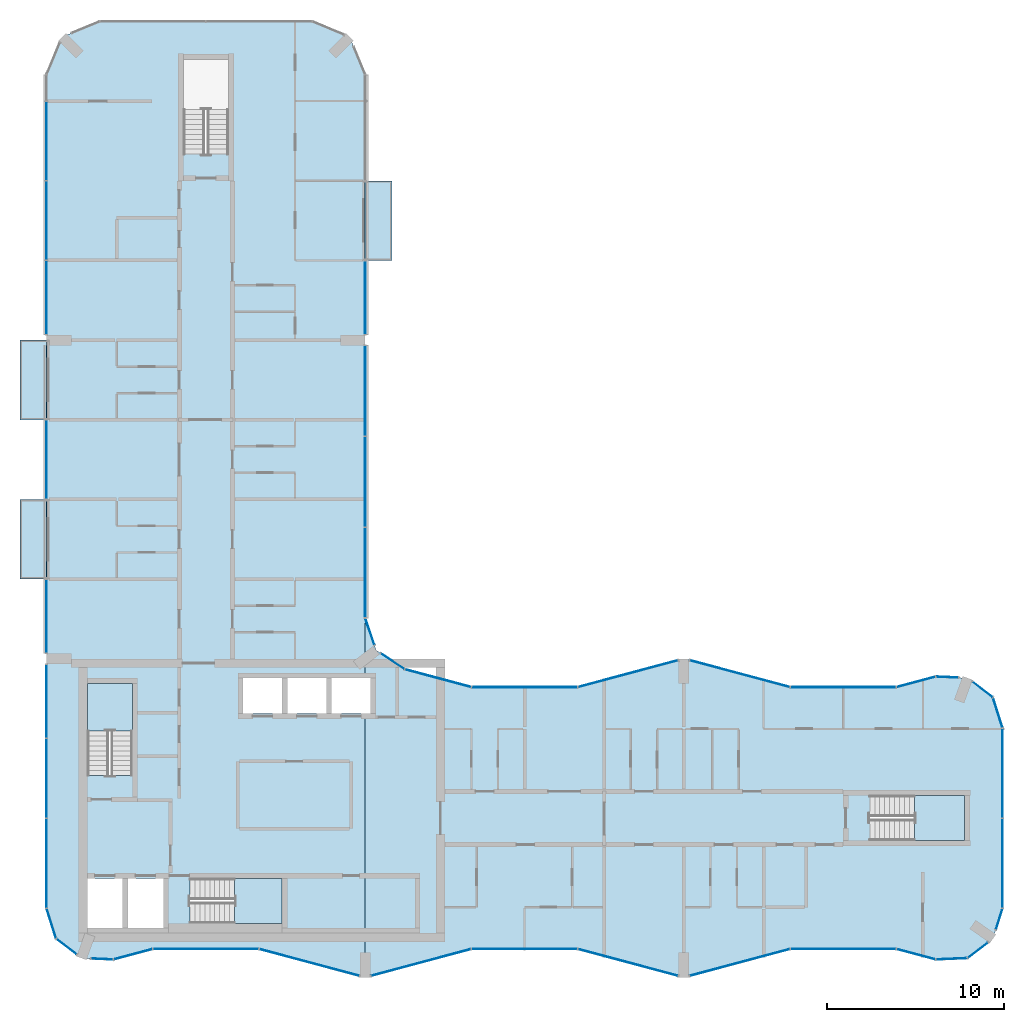
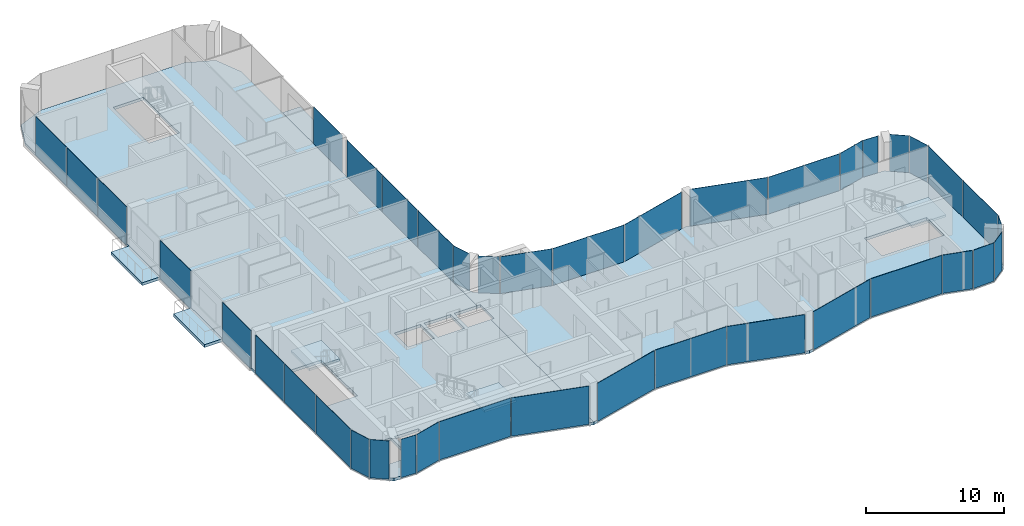
# One storey, part 8 of 16: 40 plates, 8 slabs, 36 elements without a shape of their own.
"""IFC4 building model written with IfcOpenShell, lengths in metres."""

from ifc_helpers import new_model, si_unit, direction, frame, origin, origin_2d, place, context, subcontext, project, spatial, polyline, rectangle, outline, extrude, material, layer, layer_set, type_object, element, aggregate, save


model = new_model("IFC4")

# Units and contexts
model_context = context("Model", 3, precision=1e-05, world=origin(), true_north=direction((0.0, 1.0)))
body_context = subcontext(model_context, "Body", "Model", "MODEL_VIEW")
ifc_project = project(units=[si_unit("LENGTHUNIT", "METRE"), si_unit("AREAUNIT", "SQUARE_METRE"), si_unit("VOLUMEUNIT", "CUBIC_METRE"), si_unit("PLANEANGLEUNIT", "RADIAN"), si_unit("MASSUNIT", "GRAM", prefix="KILO")], contexts=[model_context])

# Site, building, storey
site_placement = place(None, origin())
site = spatial("IfcSite", under=ifc_project, at=site_placement, CompositionType="ELEMENT")
building_placement = place(site_placement, origin())
building = spatial("IfcBuilding", under=site, at=building_placement, Name="Plateau Cross Towers", CompositionType="ELEMENT")
storey_placement = place(building_placement, frame((0.0, 0.0, 218.89990234375)))
storey = spatial("IfcBuildingStorey", under=building, at=storey_placement, Name="L57", CompositionType="ELEMENT", Elevation=218.89990234375)

# Slabs
ifc_material_1 = material(Name="Concrete C40/50", Category="concrete")
ifc_layer_1 = layer(ifc_material_1, 0.25)
ifc_layer_set_1 = layer_set([ifc_layer_1], Name="Concrete C40/50")
slab_type_1 = type_object("IfcSlabType", Name="Balcony slab 250", PredefinedType="FLOOR", material=ifc_layer_set_1)
slab_1_placement = place(storey_placement, frame((0.0, 0.0, -0.25)))
element("IfcSlab", 1, at=slab_1_placement, inside=storey, type_object=slab_type_1, Name="Balcony slab A-BAL-L57-01", PredefinedType="FLOOR", context=body_context, shape_type="SweptSolid", body=[
    extrude(outline(polyline([(0.0, 22.5), (0.0, 27.0), (-1.5, 27.0), (-1.5, 22.5), (0.0, 22.5)])), origin(), (0.0, 0.0, 1.0), 0.25),
])
slab_2_placement = place(storey_placement, frame((0.0, 0.0, -0.25)))
element("IfcSlab", 2, at=slab_2_placement, inside=storey, type_object=slab_type_1, Name="Balcony slab A-BAL-L57-02", PredefinedType="FLOOR", context=body_context, shape_type="SweptSolid", body=[
    extrude(outline(polyline([(0.0, 31.5), (0.0, 36.0), (-1.5, 36.0), (-1.5, 31.5), (0.0, 31.5)])), origin(), (0.0, 0.0, 1.0), 0.25),
])
slab_3_placement = place(storey_placement, frame((0.0, 0.0, -0.25)))
element("IfcSlab", 3, at=slab_3_placement, inside=storey, type_object=slab_type_1, Name="Balcony slab A-BAL-L57-03", PredefinedType="FLOOR", context=body_context, shape_type="SweptSolid", body=[
    extrude(outline(polyline([(19.5, 40.5), (19.5, 45.0), (18.0, 45.0), (18.0, 40.5), (19.5, 40.5)])), origin(), (0.0, 0.0, 1.0), 0.25),
])

# Curtain wall, plate
ifc_material_2 = material(Name="Dark low-iron glass", Category="glass")
ifc_layer_2 = layer(ifc_material_2, 0.239990234375)
ifc_layer_set_2 = layer_set([ifc_layer_2], Name="Dark low-iron glass")
curtain_wall_type_1 = type_object("IfcCurtainWallType", Name="Curtain wall flush unitised CW-B", PredefinedType="NOTDEFINED", material=ifc_layer_set_2)
curtain_wall_1_placement = place(storey_placement, origin())
curtain_wall_1 = element("IfcCurtainWall", 4, at=curtain_wall_1_placement, inside=storey, type_object=curtain_wall_type_1, Name="ENV/A/L57/A502_10", PredefinedType="NOTDEFINED")
ifc_layer_3 = layer(ifc_material_2, 0.031982421875)
ifc_layer_set_3 = layer_set([ifc_layer_3], Name="Dark low-iron glass")
plate_type_1 = type_object("IfcPlateType", Name="Glass panel 32 flush unitised", PredefinedType="CURTAIN_PANEL", material=ifc_layer_set_3)
plate_1_placement = place(storey_placement, frame((51.125, 1.05078125, -0.1298828125), z_axis=(0.0, 0.0, 1.0), x_axis=(0.999043701491, 0.043722791671, 0.0)))
plate_1 = element("IfcPlate", 5, at=plate_1_placement, type_object=plate_type_1, Name="CW-B panel 1", PredefinedType="CURTAIN_PANEL", context=body_context, shape_type="SweptSolid", body=[
    extrude(rectangle(XDim=1.744140625, YDim=0.031982421875, at=origin_2d()), origin(), (0.0, 0.0, 1.0), 3.3798828125),
])
aggregate(curtain_wall_1, [plate_1])

curtain_wall_2_placement = place(storey_placement, origin())
curtain_wall_2 = element("IfcCurtainWall", 6, at=curtain_wall_2_placement, inside=storey, type_object=curtain_wall_type_1, Name="ENV/A/L57/A520_11", PredefinedType="NOTDEFINED")
plate_2_placement = place(storey_placement, frame((52.60986328125, 1.5380859375, -0.1298828125), z_axis=(0.0, 0.0, 1.0), x_axis=(0.793315514529, 0.608810721331, 0.0)))
plate_2 = element("IfcPlate", 7, at=plate_2_placement, type_object=plate_type_1, Name="CW-B panel 1", PredefinedType="CURTAIN_PANEL", context=body_context, shape_type="SweptSolid", body=[
    extrude(rectangle(XDim=1.41162109375, YDim=0.031982421875, at=origin_2d()), origin(), (0.0, 0.0, 1.0), 3.3798828125),
])
aggregate(curtain_wall_2, [plate_2])

curtain_wall_3_placement = place(storey_placement, origin())
curtain_wall_3 = element("IfcCurtainWall", 8, at=curtain_wall_3_placement, inside=storey, type_object=curtain_wall_type_1, Name="ENV/A/L57/A536_27", PredefinedType="NOTDEFINED")
plate_3_placement = place(storey_placement, frame((53.805419921875, 3.292236328125, -0.1298828125), z_axis=(0.0, 0.0, 1.0), x_axis=(0.300686174994, 0.95372313811, 0.0)))
plate_3 = element("IfcPlate", 9, at=plate_3_placement, type_object=plate_type_1, Name="CW-B panel 1", PredefinedType="CURTAIN_PANEL", context=body_context, shape_type="SweptSolid", body=[
    extrude(rectangle(XDim=1.233642578125, YDim=0.031982421875, at=origin_2d()), origin(), (0.0, 0.0, 1.0), 3.3798828125),
])
aggregate(curtain_wall_3, [plate_3])

# Curtain wall, plates
curtain_wall_4_placement = place(storey_placement, origin())
curtain_wall_4 = element("IfcCurtainWall", 10, at=curtain_wall_4_placement, inside=storey, type_object=curtain_wall_type_1, Name="ENV/A/L57/A540_39", PredefinedType="NOTDEFINED")
plate_4_placement = place(storey_placement, frame((54.0, 6.45458984375, -0.1298828125), z_axis=(0.0, 0.0, 1.0), x_axis=(0.0, 1.0, 0.0)))
plate_4 = element("IfcPlate", 11, at=plate_4_placement, type_object=plate_type_1, Name="CW-B panel 1", PredefinedType="CURTAIN_PANEL", context=body_context, shape_type="SweptSolid", body=[
    extrude(rectangle(XDim=5.03076171875, YDim=0.031982421875, at=origin_2d()), origin(), (0.0, 0.0, 1.0), 3.3798828125),
])
plate_5_placement = place(storey_placement, frame((54.0, 11.54541015625, -0.1298828125), z_axis=(0.0, 0.0, 1.0), x_axis=(0.0, 1.0, 0.0)))
plate_5 = element("IfcPlate", 12, at=plate_5_placement, type_object=plate_type_1, Name="CW-B panel 2", PredefinedType="CURTAIN_PANEL", context=body_context, shape_type="SweptSolid", body=[
    extrude(rectangle(XDim=5.03076171875, YDim=0.031982421875, at=origin_2d()), origin(), (0.0, 0.0, 1.0), 3.3798828125),
])
aggregate(curtain_wall_4, [plate_4, plate_5])

# Curtain wall, plate
curtain_wall_5_placement = place(storey_placement, origin())
curtain_wall_5 = element("IfcCurtainWall", 13, at=curtain_wall_5_placement, inside=storey, type_object=curtain_wall_type_1, Name="ENV/A/L57/A540_141", PredefinedType="NOTDEFINED")
plate_6_placement = place(storey_placement, frame((53.728759765625, 14.951171875, -0.1298828125), z_axis=(0.0, 0.0, 1.0), x_axis=(-0.300686174994, 0.95372313811, 0.0)))
plate_6 = element("IfcPlate", 14, at=plate_6_placement, type_object=plate_type_1, Name="CW-B panel 1", PredefinedType="CURTAIN_PANEL", context=body_context, shape_type="SweptSolid", body=[
    extrude(rectangle(XDim=1.744140625, YDim=0.031982421875, at=origin_2d()), origin(), (0.0, 0.0, 1.0), 3.3798828125),
])
aggregate(curtain_wall_5, [plate_6])

curtain_wall_6_placement = place(storey_placement, origin())
curtain_wall_6 = element("IfcCurtainWall", 15, at=curtain_wall_6_placement, inside=storey, type_object=curtain_wall_type_1, Name="ENV/A/L57/A535_158", PredefinedType="NOTDEFINED")
plate_7_placement = place(storey_placement, frame((52.873779296875, 16.25927734375, -0.1298828125), z_axis=(0.0, 0.0, 1.0), x_axis=(-0.793315514529, 0.608810721331, 0.0)))
plate_7 = element("IfcPlate", 16, at=plate_7_placement, type_object=plate_type_1, Name="CW-B panel 1", PredefinedType="CURTAIN_PANEL", context=body_context, shape_type="SweptSolid", body=[
    extrude(rectangle(XDim=1.41162109375, YDim=0.031982421875, at=origin_2d()), origin(), (0.0, 0.0, 1.0), 3.3798828125),
])
aggregate(curtain_wall_6, [plate_7])

curtain_wall_7_placement = place(storey_placement, origin())
curtain_wall_7 = element("IfcCurtainWall", 17, at=curtain_wall_7_placement, inside=storey, type_object=curtain_wall_type_1, Name="ENV/A/L57/A515_169", PredefinedType="NOTDEFINED")
plate_8_placement = place(storey_placement, frame((50.8701171875, 16.96044921875, -0.1298828125), z_axis=(0.0, 0.0, 1.0), x_axis=(-0.999043701491, 0.043722791671, 0.0)))
plate_8 = element("IfcPlate", 18, at=plate_8_placement, type_object=plate_type_1, Name="CW-B panel 1", PredefinedType="CURTAIN_PANEL", context=body_context, shape_type="SweptSolid", body=[
    extrude(rectangle(XDim=1.233642578125, YDim=0.031982421875, at=origin_2d()), origin(), (0.0, 0.0, 1.0), 3.3798828125),
])
aggregate(curtain_wall_7, [plate_8])

curtain_wall_8_placement = place(storey_placement, origin())
curtain_wall_8 = element("IfcCurtainWall", 19, at=curtain_wall_8_placement, inside=storey, type_object=curtain_wall_type_1, Name="ENV/A/L57/A202_174", PredefinedType="NOTDEFINED")
plate_9_placement = place(storey_placement, frame((19.546630859375, 17.856689453125, -0.1298828125), z_axis=(0.0, 0.0, 1.0), x_axis=(-0.831521253329, 0.555492938984, 0.0)))
plate_9 = element("IfcPlate", 20, at=plate_9_placement, type_object=plate_type_1, Name="CW-B panel 1", PredefinedType="CURTAIN_PANEL", context=body_context, shape_type="SweptSolid", body=[
    extrude(rectangle(XDim=1.56884765625, YDim=0.031982421875, at=origin_2d()), origin(), (0.0, 0.0, 1.0), 3.3798828125),
])
aggregate(curtain_wall_8, [plate_9])

curtain_wall_9_placement = place(storey_placement, origin())
curtain_wall_9 = element("IfcCurtainWall", 21, at=curtain_wall_9_placement, inside=storey, type_object=curtain_wall_type_1, Name="ENV/A/L57/A185_188", PredefinedType="NOTDEFINED")
plate_10_placement = place(storey_placement, frame((18.26171875, 19.531005859375, -0.1298828125), z_axis=(0.0, 0.0, 1.0), x_axis=(-0.321469161574, 0.94692004845, 0.0)))
plate_10 = element("IfcPlate", 22, at=plate_10_placement, type_object=plate_type_1, Name="CW-B panel 1", PredefinedType="CURTAIN_PANEL", context=body_context, shape_type="SweptSolid", body=[
    extrude(rectangle(XDim=1.56884765625, YDim=0.031982421875, at=origin_2d()), origin(), (0.0, 0.0, 1.0), 3.3798828125),
])
aggregate(curtain_wall_9, [plate_10])

# Curtain wall, plates
curtain_wall_10_placement = place(storey_placement, origin())
curtain_wall_10 = element("IfcCurtainWall", 23, at=curtain_wall_10_placement, inside=storey, type_object=curtain_wall_type_1, Name="ENV/A/L57/A180_203", PredefinedType="NOTDEFINED")
plate_11_placement = place(storey_placement, frame((18.0, 22.86865234375, -0.1298828125), z_axis=(0.0, 0.0, 1.0), x_axis=(0.0, 1.0, 0.0)))
plate_11 = element("IfcPlate", 24, at=plate_11_placement, type_object=plate_type_1, Name="CW-B panel 1", PredefinedType="CURTAIN_PANEL", context=body_context, shape_type="SweptSolid", body=[
    extrude(rectangle(XDim=5.072509765625, YDim=0.031982421875, at=origin_2d()), origin(), (0.0, 0.0, 1.0), 3.3798828125),
])
plate_12_placement = place(storey_placement, frame((18.0, 28.001220703125, -0.1298828125), z_axis=(0.0, 0.0, 1.0), x_axis=(0.0, 1.0, 0.0)))
plate_12 = element("IfcPlate", 25, at=plate_12_placement, type_object=plate_type_1, Name="CW-B panel 2", PredefinedType="CURTAIN_PANEL", context=body_context, shape_type="SweptSolid", body=[
    extrude(rectangle(XDim=5.072509765625, YDim=0.031982421875, at=origin_2d()), origin(), (0.0, 0.0, 1.0), 3.3798828125),
])
plate_13_placement = place(storey_placement, frame((18.0, 33.1337890625, -0.1298828125), z_axis=(0.0, 0.0, 1.0), x_axis=(0.0, 1.0, 0.0)))
plate_13 = element("IfcPlate", 26, at=plate_13_placement, type_object=plate_type_1, Name="CW-B panel 3", PredefinedType="CURTAIN_PANEL", context=body_context, shape_type="SweptSolid", body=[
    extrude(rectangle(XDim=5.072509765625, YDim=0.031982421875, at=origin_2d()), origin(), (0.0, 0.0, 1.0), 3.3798828125),
])
aggregate(curtain_wall_10, [plate_11, plate_12, plate_13])

# Curtain wall, plate
curtain_wall_11_placement = place(storey_placement, origin())
curtain_wall_11 = element("IfcCurtainWall", 27, at=curtain_wall_11_placement, inside=storey, type_object=curtain_wall_type_1, Name="ENV/A/L57/A180_363", PredefinedType="NOTDEFINED")
plate_14_placement = place(storey_placement, frame((18.0, 38.39501953125, -0.1298828125), z_axis=(0.0, 0.0, 1.0), x_axis=(0.0, 1.0, 0.0)))
plate_14 = element("IfcPlate", 28, at=plate_14_placement, type_object=plate_type_1, Name="CW-B panel 1", PredefinedType="CURTAIN_PANEL", context=body_context, shape_type="SweptSolid", body=[
    extrude(rectangle(XDim=4.1298828125, YDim=0.031982421875, at=origin_2d()), origin(), (0.0, 0.0, 1.0), 3.3798828125),
])
aggregate(curtain_wall_11, [plate_14])

# Curtain wall, plates
curtain_wall_12_placement = place(storey_placement, origin())
curtain_wall_12 = element("IfcCurtainWall", 29, at=curtain_wall_12_placement, inside=storey, type_object=curtain_wall_type_1, Name="ENV/A/L57/A0_510", PredefinedType="NOTDEFINED")
plate_15_placement = place(storey_placement, frame((0.0, 47.25, -0.1298828125), z_axis=(0.0, 0.0, 1.0), x_axis=(0.0, -1.0, 0.0)))
plate_15 = element("IfcPlate", 30, at=plate_15_placement, type_object=plate_type_1, Name="CW-B panel 2", PredefinedType="CURTAIN_PANEL", context=body_context, shape_type="SweptSolid", body=[
    extrude(rectangle(XDim=4.43994140625, YDim=0.031982421875, at=origin_2d()), origin(), (0.0, 0.0, 1.0), 3.3798828125),
])
plate_16_placement = place(storey_placement, frame((0.0, 42.75, -0.1298828125), z_axis=(0.0, 0.0, 1.0), x_axis=(0.0, -1.0, 0.0)))
plate_16 = element("IfcPlate", 31, at=plate_16_placement, type_object=plate_type_1, Name="CW-B panel 3", PredefinedType="CURTAIN_PANEL", context=body_context, shape_type="SweptSolid", body=[
    extrude(rectangle(XDim=4.43994140625, YDim=0.031982421875, at=origin_2d()), origin(), (0.0, 0.0, 1.0), 3.3798828125),
])
plate_17_placement = place(storey_placement, frame((0.0, 38.39990234375, -0.1298828125), z_axis=(0.0, 0.0, 1.0), x_axis=(0.0, -1.0, 0.0)))
plate_17 = element("IfcPlate", 32, at=plate_17_placement, type_object=plate_type_1, Name="CW-B panel 4", PredefinedType="CURTAIN_PANEL", context=body_context, shape_type="SweptSolid", body=[
    extrude(rectangle(XDim=4.139892578125, YDim=0.031982421875, at=origin_2d()), origin(), (0.0, 0.0, 1.0), 3.3798828125),
])
aggregate(curtain_wall_12, [plate_15, plate_16, plate_17])

# Curtain wall, plate
curtain_wall_13_placement = place(storey_placement, origin())
curtain_wall_13 = element("IfcCurtainWall", 33, at=curtain_wall_13_placement, inside=storey, type_object=curtain_wall_type_1, Name="ENV/A/L57/A0_315", PredefinedType="NOTDEFINED")
plate_18_placement = place(storey_placement, frame((0.0, 29.25, -0.1298828125), z_axis=(0.0, 0.0, 1.0), x_axis=(0.0, -1.0, 0.0)))
plate_18 = element("IfcPlate", 34, at=plate_18_placement, type_object=plate_type_1, Name="CW-B panel 1", PredefinedType="CURTAIN_PANEL", context=body_context, shape_type="SweptSolid", body=[
    extrude(rectangle(XDim=4.419921875, YDim=0.031982421875, at=origin_2d()), origin(), (0.0, 0.0, 1.0), 3.3798828125),
])
aggregate(curtain_wall_13, [plate_18])

curtain_wall_14_placement = place(storey_placement, origin())
curtain_wall_14 = element("IfcCurtainWall", 35, at=curtain_wall_14_placement, inside=storey, type_object=curtain_wall_type_1, Name="ENV/A/L57/A0_225", PredefinedType="NOTDEFINED")
plate_19_placement = place(storey_placement, frame((0.0, 20.39501953125, -0.1298828125), z_axis=(0.0, 0.0, 1.0), x_axis=(0.0, -1.0, 0.0)))
plate_19 = element("IfcPlate", 36, at=plate_19_placement, type_object=plate_type_1, Name="CW-B panel 1", PredefinedType="CURTAIN_PANEL", context=body_context, shape_type="SweptSolid", body=[
    extrude(rectangle(XDim=4.1298828125, YDim=0.031982421875, at=origin_2d()), origin(), (0.0, 0.0, 1.0), 3.3798828125),
])
aggregate(curtain_wall_14, [plate_19])

# Curtain wall, plates
curtain_wall_15_placement = place(storey_placement, origin())
curtain_wall_15 = element("IfcCurtainWall", 37, at=curtain_wall_15_placement, inside=storey, type_object=curtain_wall_type_1, Name="ENV/A/L57/A0_177", PredefinedType="NOTDEFINED")
plate_20_placement = place(storey_placement, frame((0.0, 15.60009765625, -0.1298828125), z_axis=(0.0, 0.0, 1.0), x_axis=(0.0, -1.0, 0.0)))
plate_20 = element("IfcPlate", 38, at=plate_20_placement, type_object=plate_type_1, Name="CW-B panel 1", PredefinedType="CURTAIN_PANEL", context=body_context, shape_type="SweptSolid", body=[
    extrude(rectangle(XDim=4.139892578125, YDim=0.031982421875, at=origin_2d()), origin(), (0.0, 0.0, 1.0), 3.3798828125),
])
plate_21_placement = place(storey_placement, frame((0.0, 11.25, -0.1298828125), z_axis=(0.0, 0.0, 1.0), x_axis=(0.0, -1.0, 0.0)))
plate_21 = element("IfcPlate", 39, at=plate_21_placement, type_object=plate_type_1, Name="CW-B panel 2", PredefinedType="CURTAIN_PANEL", context=body_context, shape_type="SweptSolid", body=[
    extrude(rectangle(XDim=4.43994140625, YDim=0.031982421875, at=origin_2d()), origin(), (0.0, 0.0, 1.0), 3.3798828125),
])
plate_22_placement = place(storey_placement, frame((0.0, 6.45458984375, -0.1298828125), z_axis=(0.0, 0.0, 1.0), x_axis=(0.0, -1.0, 0.0)))
plate_22 = element("IfcPlate", 40, at=plate_22_placement, type_object=plate_type_1, Name="CW-B panel 3", PredefinedType="CURTAIN_PANEL", context=body_context, shape_type="SweptSolid", body=[
    extrude(rectangle(XDim=5.03076171875, YDim=0.031982421875, at=origin_2d()), origin(), (0.0, 0.0, 1.0), 3.3798828125),
])
aggregate(curtain_wall_15, [plate_20, plate_21, plate_22])

# Curtain wall, plate
curtain_wall_16_placement = place(storey_placement, origin())
curtain_wall_16 = element("IfcCurtainWall", 41, at=curtain_wall_16_placement, inside=storey, type_object=curtain_wall_type_1, Name="ENV/A/L57/A0_39", PredefinedType="NOTDEFINED")
plate_23_placement = place(storey_placement, frame((0.271240234375, 3.048828125, -0.1298828125), z_axis=(0.0, 0.0, 1.0), x_axis=(0.300686174994, -0.95372313811, 0.0)))
plate_23 = element("IfcPlate", 42, at=plate_23_placement, type_object=plate_type_1, Name="CW-B panel 1", PredefinedType="CURTAIN_PANEL", context=body_context, shape_type="SweptSolid", body=[
    extrude(rectangle(XDim=1.744140625, YDim=0.031982421875, at=origin_2d()), origin(), (0.0, 0.0, 1.0), 3.3798828125),
])
aggregate(curtain_wall_16, [plate_23])

curtain_wall_17_placement = place(storey_placement, origin())
curtain_wall_17 = element("IfcCurtainWall", 43, at=curtain_wall_17_placement, inside=storey, type_object=curtain_wall_type_1, Name="ENV/A/L57/A5_22", PredefinedType="NOTDEFINED")
plate_24_placement = place(storey_placement, frame((1.126220703125, 1.74072265625, -0.1298828125), z_axis=(0.0, 0.0, 1.0), x_axis=(0.793315514529, -0.608810721331, 0.0)))
plate_24 = element("IfcPlate", 44, at=plate_24_placement, type_object=plate_type_1, Name="CW-B panel 1", PredefinedType="CURTAIN_PANEL", context=body_context, shape_type="SweptSolid", body=[
    extrude(rectangle(XDim=1.41162109375, YDim=0.031982421875, at=origin_2d()), origin(), (0.0, 0.0, 1.0), 3.3798828125),
])
aggregate(curtain_wall_17, [plate_24])

curtain_wall_18_placement = place(storey_placement, origin())
curtain_wall_18 = element("IfcCurtainWall", 45, at=curtain_wall_18_placement, inside=storey, type_object=curtain_wall_type_1, Name="ENV/A/L57/A25_11", PredefinedType="NOTDEFINED")
plate_25_placement = place(storey_placement, frame((3.1298828125, 1.03955078125, -0.1298828125), z_axis=(0.0, 0.0, 1.0), x_axis=(0.999043701491, -0.043722791671, 0.0)))
plate_25 = element("IfcPlate", 46, at=plate_25_placement, type_object=plate_type_1, Name="CW-B panel 1", PredefinedType="CURTAIN_PANEL", context=body_context, shape_type="SweptSolid", body=[
    extrude(rectangle(XDim=1.233642578125, YDim=0.031982421875, at=origin_2d()), origin(), (0.0, 0.0, 1.0), 3.3798828125),
])
aggregate(curtain_wall_18, [plate_25])

ifc_layer_4 = layer(ifc_material_2, 0.260009765625)
ifc_layer_set_4 = layer_set([ifc_layer_4], Name="Dark low-iron glass")
curtain_wall_type_2 = type_object("IfcCurtainWallType", Name="Curtain wall fluted unitised CW-A", PredefinedType="NOTDEFINED", material=ifc_layer_set_4)
curtain_wall_19_placement = place(storey_placement, origin())
curtain_wall_19 = element("IfcCurtainWall", 47, at=curtain_wall_19_placement, inside=storey, type_object=curtain_wall_type_2, Name="ENV/A/L57/A38_10", PredefinedType="NOTDEFINED")
ifc_layer_5 = layer(ifc_material_2, 0.035888671875)
ifc_layer_set_5 = layer_set([ifc_layer_5], Name="Dark low-iron glass")
plate_type_2 = type_object("IfcPlateType", Name="Glass panel 36 fluted unitised", PredefinedType="CURTAIN_PANEL", material=ifc_layer_set_5)
plate_26_placement = place(storey_placement, frame((4.887939453125, 1.30908203125, -0.1298828125), z_axis=(0.0, 0.0, 1.0), x_axis=(0.965957962328, 0.258699081978, 0.0)))
plate_26 = element("IfcPlate", 48, at=plate_26_placement, type_object=plate_type_2, Name="CW-A panel 1", PredefinedType="CURTAIN_PANEL", context=body_context, shape_type="SweptSolid", body=[
    extrude(rectangle(XDim=2.2421875, YDim=0.035888671875, at=origin_2d()), origin(), (0.0, 0.0, 1.0), 3.3798828125),
])
aggregate(curtain_wall_19, [plate_26])

curtain_wall_20_placement = place(storey_placement, origin())
curtain_wall_20 = element("IfcCurtainWall", 49, at=curtain_wall_20_placement, inside=storey, type_object=curtain_wall_type_2, Name="ENV/A/L57/A60_16", PredefinedType="NOTDEFINED")
plate_27_placement = place(storey_placement, frame((9.0, 1.60693359375, -0.1298828125), z_axis=(0.0, 0.0, 1.0), x_axis=(1.0, 0.0, 0.0)))
plate_27 = element("IfcPlate", 50, at=plate_27_placement, type_object=plate_type_2, Name="CW-A panel 1", PredefinedType="CURTAIN_PANEL", context=body_context, shape_type="SweptSolid", body=[
    extrude(rectangle(XDim=5.93994140625, YDim=0.035888671875, at=origin_2d()), origin(), (0.0, 0.0, 1.0), 3.3798828125),
])
aggregate(curtain_wall_20, [plate_27])

curtain_wall_21_placement = place(storey_placement, origin())
curtain_wall_21 = element("IfcCurtainWall", 51, at=curtain_wall_21_placement, inside=storey, type_object=curtain_wall_type_2, Name="ENV/A/L57/A120_16", PredefinedType="NOTDEFINED")
plate_28_placement = place(storey_placement, frame((14.841064453125, 0.845947265625, -0.1298828125), z_axis=(0.0, 0.0, 1.0), x_axis=(0.965957983404, -0.258699003279, 0.0)))
plate_28 = element("IfcPlate", 52, at=plate_28_placement, type_object=plate_type_2, Name="CW-A panel 1", PredefinedType="CURTAIN_PANEL", context=body_context, shape_type="SweptSolid", body=[
    extrude(rectangle(XDim=5.822265625, YDim=0.035888671875, at=origin_2d()), origin(), (0.0, 0.0, 1.0), 3.3798828125),
])
aggregate(curtain_wall_21, [plate_28])

curtain_wall_22_placement = place(storey_placement, origin())
curtain_wall_22 = element("IfcCurtainWall", 53, at=curtain_wall_22_placement, inside=storey, type_object=curtain_wall_type_2, Name="ENV/A/L57/A183_1", PredefinedType="NOTDEFINED")
plate_29_placement = place(storey_placement, frame((21.158935546875, 0.845947265625, -0.1298828125), z_axis=(0.0, 0.0, 1.0), x_axis=(0.965957983404, 0.258699003279, 0.0)))
plate_29 = element("IfcPlate", 54, at=plate_29_placement, type_object=plate_type_2, Name="CW-A panel 1", PredefinedType="CURTAIN_PANEL", context=body_context, shape_type="SweptSolid", body=[
    extrude(rectangle(XDim=5.822265625, YDim=0.035888671875, at=origin_2d()), origin(), (0.0, 0.0, 1.0), 3.3798828125),
])
aggregate(curtain_wall_22, [plate_29])

curtain_wall_23_placement = place(storey_placement, origin())
curtain_wall_23 = element("IfcCurtainWall", 55, at=curtain_wall_23_placement, inside=storey, type_object=curtain_wall_type_2, Name="ENV/A/L57/A240_16", PredefinedType="NOTDEFINED")
plate_30_placement = place(storey_placement, frame((27.0, 1.60693359375, -0.1298828125), z_axis=(0.0, 0.0, 1.0), x_axis=(1.0, 0.0, 0.0)))
plate_30 = element("IfcPlate", 56, at=plate_30_placement, type_object=plate_type_2, Name="CW-A panel 1", PredefinedType="CURTAIN_PANEL", context=body_context, shape_type="SweptSolid", body=[
    extrude(rectangle(XDim=5.93994140625, YDim=0.035888671875, at=origin_2d()), origin(), (0.0, 0.0, 1.0), 3.3798828125),
])
aggregate(curtain_wall_23, [plate_30])

curtain_wall_24_placement = place(storey_placement, origin())
curtain_wall_24 = element("IfcCurtainWall", 57, at=curtain_wall_24_placement, inside=storey, type_object=curtain_wall_type_2, Name="ENV/A/L57/A300_16", PredefinedType="NOTDEFINED")
plate_31_placement = place(storey_placement, frame((32.841064453125, 0.845947265625, -0.1298828125), z_axis=(0.0, 0.0, 1.0), x_axis=(0.965957983404, -0.258699003279, 0.0)))
plate_31 = element("IfcPlate", 58, at=plate_31_placement, type_object=plate_type_2, Name="CW-A panel 1", PredefinedType="CURTAIN_PANEL", context=body_context, shape_type="SweptSolid", body=[
    extrude(rectangle(XDim=5.822265625, YDim=0.035888671875, at=origin_2d()), origin(), (0.0, 0.0, 1.0), 3.3798828125),
])
aggregate(curtain_wall_24, [plate_31])

curtain_wall_25_placement = place(storey_placement, origin())
curtain_wall_25 = element("IfcCurtainWall", 59, at=curtain_wall_25_placement, inside=storey, type_object=curtain_wall_type_2, Name="ENV/A/L57/A363_1", PredefinedType="NOTDEFINED")
plate_32_placement = place(storey_placement, frame((39.158935546875, 0.845947265625, -0.1298828125), z_axis=(0.0, 0.0, 1.0), x_axis=(0.965957983404, 0.258699003279, 0.0)))
plate_32 = element("IfcPlate", 60, at=plate_32_placement, type_object=plate_type_2, Name="CW-A panel 1", PredefinedType="CURTAIN_PANEL", context=body_context, shape_type="SweptSolid", body=[
    extrude(rectangle(XDim=5.822265625, YDim=0.035888671875, at=origin_2d()), origin(), (0.0, 0.0, 1.0), 3.3798828125),
])
aggregate(curtain_wall_25, [plate_32])

curtain_wall_26_placement = place(storey_placement, origin())
curtain_wall_26 = element("IfcCurtainWall", 61, at=curtain_wall_26_placement, inside=storey, type_object=curtain_wall_type_2, Name="ENV/A/L57/A420_16", PredefinedType="NOTDEFINED")
plate_33_placement = place(storey_placement, frame((45.0, 1.60693359375, -0.1298828125), z_axis=(0.0, 0.0, 1.0), x_axis=(1.0, 0.0, 0.0)))
plate_33 = element("IfcPlate", 62, at=plate_33_placement, type_object=plate_type_2, Name="CW-A panel 1", PredefinedType="CURTAIN_PANEL", context=body_context, shape_type="SweptSolid", body=[
    extrude(rectangle(XDim=5.93994140625, YDim=0.035888671875, at=origin_2d()), origin(), (0.0, 0.0, 1.0), 3.3798828125),
])
aggregate(curtain_wall_26, [plate_33])

curtain_wall_27_placement = place(storey_placement, origin())
curtain_wall_27 = element("IfcCurtainWall", 63, at=curtain_wall_27_placement, inside=storey, type_object=curtain_wall_type_2, Name="ENV/A/L57/A480_16", PredefinedType="NOTDEFINED")
plate_34_placement = place(storey_placement, frame((49.112060546875, 1.30908203125, -0.1298828125), z_axis=(0.0, 0.0, 1.0), x_axis=(0.965957962328, -0.258699081978, 0.0)))
plate_34 = element("IfcPlate", 64, at=plate_34_placement, type_object=plate_type_2, Name="CW-A panel 1", PredefinedType="CURTAIN_PANEL", context=body_context, shape_type="SweptSolid", body=[
    extrude(rectangle(XDim=2.2421875, YDim=0.035888671875, at=origin_2d()), origin(), (0.0, 0.0, 1.0), 3.3798828125),
])
aggregate(curtain_wall_27, [plate_34])

curtain_wall_28_placement = place(storey_placement, origin())
curtain_wall_28 = element("IfcCurtainWall", 65, at=curtain_wall_28_placement, inside=storey, type_object=curtain_wall_type_2, Name="ENV/A/L57/A502_170", PredefinedType="NOTDEFINED")
plate_35_placement = place(storey_placement, frame((49.112060546875, 16.69091796875, -0.1298828125), z_axis=(0.0, 0.0, 1.0), x_axis=(-0.965957962328, -0.258699081978, 0.0)))
plate_35 = element("IfcPlate", 66, at=plate_35_placement, type_object=plate_type_2, Name="CW-A panel 1", PredefinedType="CURTAIN_PANEL", context=body_context, shape_type="SweptSolid", body=[
    extrude(rectangle(XDim=2.2421875, YDim=0.035888671875, at=origin_2d()), origin(), (0.0, 0.0, 1.0), 3.3798828125),
])
aggregate(curtain_wall_28, [plate_35])

curtain_wall_29_placement = place(storey_placement, origin())
curtain_wall_29 = element("IfcCurtainWall", 67, at=curtain_wall_29_placement, inside=storey, type_object=curtain_wall_type_2, Name="ENV/A/L57/A480_164", PredefinedType="NOTDEFINED")
plate_36_placement = place(storey_placement, frame((45.0, 16.39306640625, -0.1298828125), z_axis=(0.0, 0.0, 1.0), x_axis=(-1.0, 0.0, 0.0)))
plate_36 = element("IfcPlate", 68, at=plate_36_placement, type_object=plate_type_2, Name="CW-A panel 1", PredefinedType="CURTAIN_PANEL", context=body_context, shape_type="SweptSolid", body=[
    extrude(rectangle(XDim=5.93994140625, YDim=0.035888671875, at=origin_2d()), origin(), (0.0, 0.0, 1.0), 3.3798828125),
])
aggregate(curtain_wall_29, [plate_36])

curtain_wall_30_placement = place(storey_placement, origin())
curtain_wall_30 = element("IfcCurtainWall", 69, at=curtain_wall_30_placement, inside=storey, type_object=curtain_wall_type_2, Name="ENV/A/L57/A420_164", PredefinedType="NOTDEFINED")
plate_37_placement = place(storey_placement, frame((39.158935546875, 17.154052734375, -0.1298828125), z_axis=(0.0, 0.0, 1.0), x_axis=(-0.965957983404, 0.258699003279, 0.0)))
plate_37 = element("IfcPlate", 70, at=plate_37_placement, type_object=plate_type_2, Name="CW-A panel 1", PredefinedType="CURTAIN_PANEL", context=body_context, shape_type="SweptSolid", body=[
    extrude(rectangle(XDim=5.822265625, YDim=0.035888671875, at=origin_2d()), origin(), (0.0, 0.0, 1.0), 3.3798828125),
])
aggregate(curtain_wall_30, [plate_37])

curtain_wall_31_placement = place(storey_placement, origin())
curtain_wall_31 = element("IfcCurtainWall", 71, at=curtain_wall_31_placement, inside=storey, type_object=curtain_wall_type_2, Name="ENV/A/L57/A357_179", PredefinedType="NOTDEFINED")
plate_38_placement = place(storey_placement, frame((32.841064453125, 17.154052734375, -0.1298828125), z_axis=(0.0, 0.0, 1.0), x_axis=(-0.965957983404, -0.258699003279, 0.0)))
plate_38 = element("IfcPlate", 72, at=plate_38_placement, type_object=plate_type_2, Name="CW-A panel 1", PredefinedType="CURTAIN_PANEL", context=body_context, shape_type="SweptSolid", body=[
    extrude(rectangle(XDim=5.822265625, YDim=0.035888671875, at=origin_2d()), origin(), (0.0, 0.0, 1.0), 3.3798828125),
])
aggregate(curtain_wall_31, [plate_38])

curtain_wall_32_placement = place(storey_placement, origin())
curtain_wall_32 = element("IfcCurtainWall", 73, at=curtain_wall_32_placement, inside=storey, type_object=curtain_wall_type_2, Name="ENV/A/L57/A300_164", PredefinedType="NOTDEFINED")
plate_39_placement = place(storey_placement, frame((27.0, 16.39306640625, -0.1298828125), z_axis=(0.0, 0.0, 1.0), x_axis=(-1.0, 0.0, 0.0)))
plate_39 = element("IfcPlate", 74, at=plate_39_placement, type_object=plate_type_2, Name="CW-A panel 1", PredefinedType="CURTAIN_PANEL", context=body_context, shape_type="SweptSolid", body=[
    extrude(rectangle(XDim=5.93994140625, YDim=0.035888671875, at=origin_2d()), origin(), (0.0, 0.0, 1.0), 3.3798828125),
])
aggregate(curtain_wall_32, [plate_39])

curtain_wall_33_placement = place(storey_placement, origin())
curtain_wall_33 = element("IfcCurtainWall", 75, at=curtain_wall_33_placement, inside=storey, type_object=curtain_wall_type_2, Name="ENV/A/L57/A240_164", PredefinedType="NOTDEFINED")
plate_40_placement = place(storey_placement, frame((22.112060546875, 16.898681640625, -0.1298828125), z_axis=(0.0, 0.0, 1.0), x_axis=(-0.965957995816, 0.258698956933, 0.0)))
plate_40 = element("IfcPlate", 76, at=plate_40_placement, type_object=plate_type_2, Name="CW-A panel 1", PredefinedType="CURTAIN_PANEL", context=body_context, shape_type="SweptSolid", body=[
    extrude(rectangle(XDim=3.84912109375, YDim=0.035888671875, at=origin_2d()), origin(), (0.0, 0.0, 1.0), 3.3798828125),
])
aggregate(curtain_wall_33, [plate_40])

# Slabs
ifc_layer_6 = layer(ifc_material_1, 0.25)
ifc_layer_set_6 = layer_set([ifc_layer_6], Name="Concrete C40/50")
slab_type_2 = type_object("IfcSlabType", Name="Post-tensioned flat plate slab 250", PredefinedType="FLOOR", material=ifc_layer_set_6)
slab_4_placement = place(storey_placement, frame((0.0, 0.0, -0.25)))
element("IfcSlab", 77, at=slab_4_placement, inside=storey, type_object=slab_type_2, Name="SL-A-L57 1", PredefinedType="FLOOR", context=body_context, shape_type="SweptSolid", body=[
    extrude(outline(polyline([(0.54248046875, 2.1884765625), (0.0, 3.9091796875), (0.0, 51.0), (0.878662109375, 53.121337890625), (3.0, 54.0), (15.0, 54.0), (17.121337890625, 53.121337890625), (18.0, 51.0), (18.0, 20.30224609375), (18.0, 16.89990234375), (16.10009765625, 16.89990234375), (16.10009765625, 14.89990234375), (18.0, 14.89990234375), (18.0, 0.0), (12.0, 1.60693359375), (6.0, 1.60693359375), (3.776123046875, 1.01123046875), (1.9736328125, 1.090087890625), (0.54248046875, 2.1884765625)]), holes=[polyline([(2.300048828125, 5.60009765625), (2.300048828125, 2.800048828125), (4.300048828125, 2.800048828125), (4.300048828125, 5.60009765625), (2.300048828125, 5.60009765625)]), polyline([(4.60009765625, 5.60009765625), (4.60009765625, 2.800048828125), (6.60009765625, 2.800048828125), (6.60009765625, 5.60009765625), (4.60009765625, 5.60009765625)]), polyline([(8.10009765625, 5.60009765625), (8.10009765625, 3.050048828125), (13.300048828125, 3.050048828125), (13.300048828125, 5.60009765625), (8.10009765625, 5.60009765625)]), polyline([(2.300048828125, 11.39990234375), (4.85009765625, 11.39990234375), (4.85009765625, 16.60009765625), (2.300048828125, 16.60009765625), (2.300048828125, 11.39990234375)]), polyline([(11.10009765625, 16.89990234375), (11.10009765625, 14.89990234375), (13.300048828125, 14.89990234375), (13.300048828125, 16.89990234375), (11.10009765625, 16.89990234375)]), polyline([(13.60009765625, 16.89990234375), (13.60009765625, 14.89990234375), (15.800048828125, 14.89990234375), (15.800048828125, 16.89990234375), (13.60009765625, 16.89990234375)]), polyline([(7.72509765625, 51.699951171875), (7.72509765625, 46.5), (10.27490234375, 46.5), (10.27490234375, 51.699951171875), (7.72509765625, 51.699951171875)])]), origin(), (0.0, 0.0, 1.0), 0.25),
])
slab_5_placement = place(storey_placement, frame((0.0, 0.0, -0.25)))
element("IfcSlab", 78, at=slab_5_placement, inside=storey, type_object=slab_type_2, Name="SL-A-L57 2", PredefinedType="FLOOR", context=body_context, shape_type="SweptSolid", body=[
    extrude(outline(polyline([(18.6201171875, 18.475830078125), (20.223876953125, 17.404296875), (24.0, 16.39306640625), (30.0, 16.39306640625), (36.0, 18.0), (42.0, 16.39306640625), (48.0, 16.39306640625), (50.223876953125, 16.98876953125), (52.0263671875, 16.909912109375), (53.45751953125, 15.8115234375), (54.0, 14.0908203125), (54.0, 3.9091796875), (53.45751953125, 2.1884765625), (52.0263671875, 1.090087890625), (50.223876953125, 1.01123046875), (48.0, 1.60693359375), (42.0, 1.60693359375), (36.0, 0.0), (30.0, 1.60693359375), (24.0, 1.60693359375), (18.0, 0.0), (18.0, 14.89990234375), (18.300048828125, 14.89990234375), (18.300048828125, 16.89990234375), (18.0, 16.89990234375), (18.0, 20.30224609375), (18.6201171875, 18.475830078125)]), holes=[polyline([(46.5, 10.27490234375), (46.5, 7.72509765625), (51.699951171875, 7.72509765625), (51.699951171875, 10.27490234375), (46.5, 10.27490234375)])]), origin(), (0.0, 0.0, 1.0), 0.25),
])

# Stair, slab
stair_type = type_object("IfcStairType", Name="ST-TWR", PredefinedType="HALF_TURN_STAIR", material=ifc_material_1)
stair_1_placement = place(storey_placement, origin())
stair_1 = element("IfcStair", 79, at=stair_1_placement, inside=storey, type_object=stair_type, Name="L57 Protected Exit Stair ST-1", PredefinedType="HALF_TURN_STAIR")
ifc_layer_7 = layer(ifc_material_1, 0.199951171875)
ifc_layer_set_7 = layer_set([ifc_layer_7], Name="Concrete C40/50")
slab_type_3 = type_object("IfcSlabType", Name="SL-LANDING", PredefinedType="LANDING", material=ifc_layer_set_7)
slab_6_placement = place(storey_placement, frame((0.0, 0.0, 1.550048828125)))
slab_6 = element("IfcSlab", 80, at=slab_6_placement, type_object=slab_type_3, Name="ST-1 landing 1", PredefinedType="LANDING", context=body_context, shape_type="SweptSolid", body=[
    extrude(outline(polyline([(4.85009765625, 13.919921875), (4.85009765625, 16.60009765625), (2.300048828125, 16.60009765625), (2.300048828125, 13.919921875), (4.85009765625, 13.919921875)])), origin(), (0.0, 0.0, 1.0), 0.199951171875),
])
aggregate(stair_1, [slab_6])

stair_2_placement = place(storey_placement, origin())
stair_2 = element("IfcStair", 81, at=stair_2_placement, inside=storey, type_object=stair_type, Name="L57 Protected Exit Stair ST-2", PredefinedType="HALF_TURN_STAIR")
slab_7_placement = place(storey_placement, frame((0.0, 0.0, 1.550048828125)))
slab_7 = element("IfcSlab", 82, at=slab_7_placement, type_object=slab_type_3, Name="ST-2 landing 1", PredefinedType="LANDING", context=body_context, shape_type="SweptSolid", body=[
    extrude(outline(polyline([(10.6201171875, 3.050048828125), (13.300048828125, 3.050048828125), (13.300048828125, 5.60009765625), (10.6201171875, 5.60009765625), (10.6201171875, 3.050048828125)])), origin(), (0.0, 0.0, 1.0), 0.199951171875),
])
aggregate(stair_2, [slab_7])

stair_3_placement = place(storey_placement, origin())
stair_3 = element("IfcStair", 83, at=stair_3_placement, inside=storey, type_object=stair_type, Name="L57 Protected Exit Stair E", PredefinedType="HALF_TURN_STAIR")
slab_8_placement = place(storey_placement, frame((0.0, 0.0, 1.550048828125)))
slab_8 = element("IfcSlab", 84, at=slab_8_placement, type_object=slab_type_3, Name="ES-E landing 1", PredefinedType="LANDING", context=body_context, shape_type="SweptSolid", body=[
    extrude(outline(polyline([(49.02001953125, 7.72509765625), (51.85009765625, 7.72509765625), (51.85009765625, 10.27490234375), (49.02001953125, 10.27490234375), (49.02001953125, 7.72509765625)])), origin(), (0.0, 0.0, 1.0), 0.199951171875),
])
aggregate(stair_3, [slab_8])

save(model, "model.ifc")
